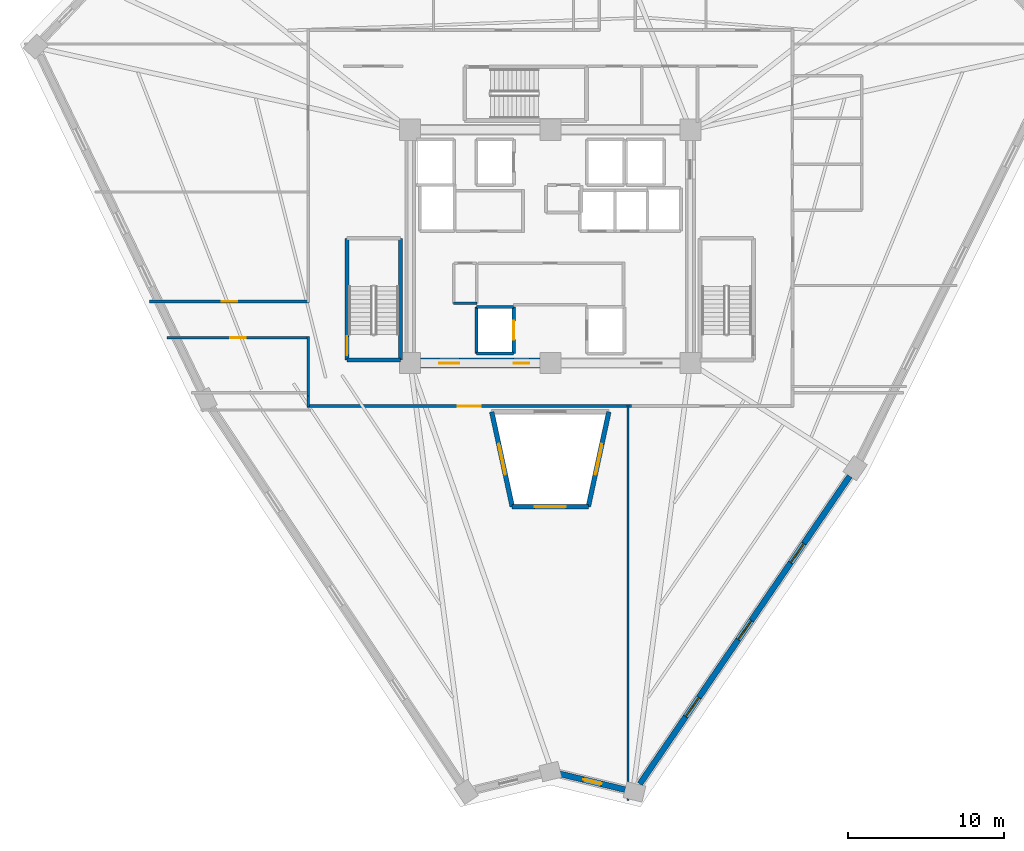
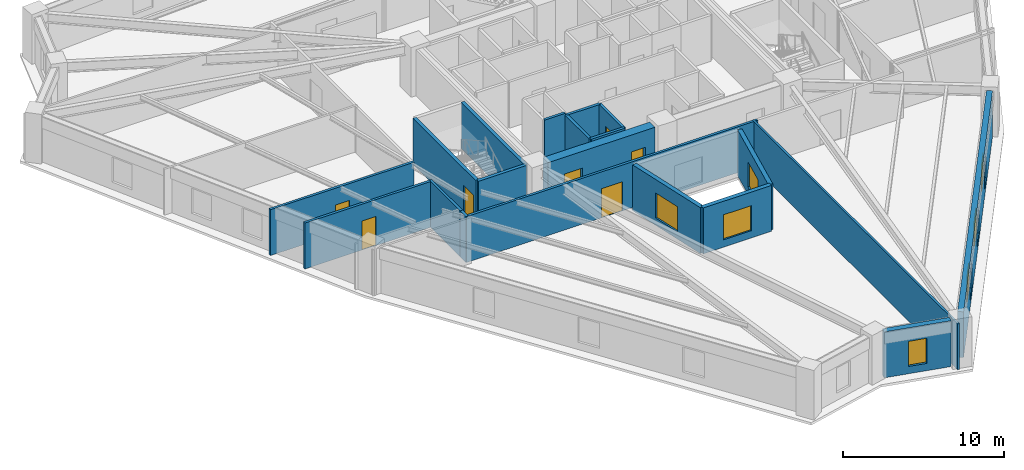
# One storey, part 3 of 9: 20 walls, 7 doors, 7 windows, 14 openings.
"""IFC4 building model written with IfcOpenShell, lengths in metres."""

from ifc_helpers import new_model, si_unit, direction, frame, frame_2d, origin, place, context, subcontext, project, spatial, rectangle, extrude, source, transform, mapped, material, layer, layer_set, type_object, element, fill, save


model = new_model("IFC4")

# Units and contexts
model_context = context("Model", 3, precision=1e-05, world=origin(), true_north=direction((0.0, 1.0)))
body_context = subcontext(model_context, "Body", "Model", "MODEL_VIEW")
ifc_project = project(units=[si_unit("LENGTHUNIT", "METRE"), si_unit("AREAUNIT", "SQUARE_METRE"), si_unit("VOLUMEUNIT", "CUBIC_METRE"), si_unit("PLANEANGLEUNIT", "RADIAN"), si_unit("MASSUNIT", "GRAM", prefix="KILO")], contexts=[model_context])

# Site, building, storey
site_placement = place(None, origin())
site = spatial("IfcSite", under=ifc_project, at=site_placement, CompositionType="ELEMENT")
building_placement = place(site_placement, origin())
building = spatial("IfcBuilding", under=site, at=building_placement, Name="Liaohun Quay Tower", CompositionType="ELEMENT")
storey_placement = place(building_placement, frame((0.0, 0.0, 228.0)))
storey = spatial("IfcBuildingStorey", under=building, at=storey_placement, Name="L59", CompositionType="ELEMENT", Elevation=228.0)

# Wall, opening, window
ifc_material_1 = material(Name="Concrete C50", Category="concrete")
ifc_layer_1 = layer(ifc_material_1, 0.300048828125, Name="Concrete C50", Category="concrete")
ifc_layer_set_1 = layer_set([ifc_layer_1], Name="Concrete C50")
wall_type_1 = type_object("IfcWallType", Name="WAL-ATR-300", PredefinedType="SOLIDWALL", material=ifc_layer_set_1)
wall_1_placement = place(storey_placement, frame((57.553955078125, 37.277099609375, 0.0), z_axis=(0.0, 0.0, 1.0), x_axis=(-0.211403575635, 0.977398858301, 0.0)))
wall_1 = element("IfcWall", 1, at=wall_1_placement, inside=storey, type_object=wall_type_1, Name="L59 Atrium Fire Compartment Wall 1", PredefinedType="SOLIDWALL", context=body_context, shape_type="SweptSolid", body=[
    extrude(rectangle(XDim=6.23388671875, YDim=0.300048828125, at=frame_2d((3.116943359375, 0.0))), origin(), (0.0, 0.0, 1.0), 3.469970703125),
])
shared_shape_1 = source(origin(), body_context, "Body", "SweptSolid", [
    extrude(rectangle(XDim=2.0, YDim=1.89990234375, at=frame_2d((1.0, 0.949951171875))), frame((0.0, 0.159912109375, 0.0), z_axis=(0.0, -1.0, 0.0), x_axis=(1.0, 0.0, 0.0)), (0.0, 0.0, 1.0), 0.320068359375),
])
opening_1_placement = place(wall_1_placement, frame((2.116943359375, 0.0, 0.550048828125)))
opening_1 = element("IfcOpeningElement", 2, at=opening_1_placement, cuts=wall_1, Name="Opening W07", PredefinedType="OPENING", context=body_context, shape_type="MappedRepresentation", body=[
    mapped(shared_shape_1, transform((0.0, 0.0, 0.0), x_axis=(1.0, 0.0, 0.0), y_axis=(0.0, 1.0, 0.0), z_axis=(0.0, 0.0, 1.0), scale=1.0)),
])
ifc_material_2 = material(Name="Class A 180-min fire-resistant insulated glazing", Category="glass")
window_type_1 = type_object("IfcWindowType", Name="WIN-ATR-FIR", PartitioningType="DOUBLE_PANEL_VERTICAL", PredefinedType="WINDOW", material=ifc_material_2)
shared_shape_2 = source(origin(), body_context, "Body", "SweptSolid", [
    extrude(rectangle(XDim=2.0, YDim=1.89990234375, at=frame_2d((1.0, 0.949951171875))), frame((0.0, 0.030029296875, 0.0), z_axis=(0.0, -1.0, 0.0), x_axis=(1.0, 0.0, 0.0)), (0.0, 0.0, 1.0), 0.06005859375),
])
window_1_placement = place(opening_1_placement, origin())
window_1 = element("IfcWindow", 3, at=window_1_placement, inside=storey, type_object=window_type_1, Name="L59 Atrium Fire-Resistant Glazing W07-1", OverallHeight=1.89990234375, OverallWidth=2.0, PartitioningType="DOUBLE_PANEL_VERTICAL", PredefinedType="WINDOW", context=body_context, shape_type="MappedRepresentation", body=[
    mapped(shared_shape_2, transform((0.0, 0.0, 0.0), x_axis=(1.0, 0.0, 0.0), y_axis=(0.0, 1.0, 0.0), z_axis=(0.0, 0.0, 1.0), scale=1.0)),
])
fill(opening_1, window_1)

wall_2_placement = place(storey_placement, frame((63.763916015625, 43.3701171875, 0.0), z_axis=(0.0, 0.0, 1.0), x_axis=(-0.211403575635, -0.977398858301, 0.0)))
wall_2 = element("IfcWall", 4, at=wall_2_placement, inside=storey, type_object=wall_type_1, Name="L59 Atrium Fire Compartment Wall 3", PredefinedType="SOLIDWALL", context=body_context, shape_type="SweptSolid", body=[
    extrude(rectangle(XDim=6.23388671875, YDim=0.300048828125, at=frame_2d((3.116943359375, 0.0))), origin(), (0.0, 0.0, 1.0), 3.469970703125),
])
opening_2_placement = place(wall_2_placement, frame((2.116943359375, 0.0, 0.550048828125)))
opening_2 = element("IfcOpeningElement", 5, at=opening_2_placement, cuts=wall_2, Name="Opening W07", PredefinedType="OPENING", context=body_context, shape_type="MappedRepresentation", body=[
    mapped(shared_shape_1, transform((0.0, 0.0, 0.0), x_axis=(1.0, 0.0, 0.0), y_axis=(0.0, 1.0, 0.0), z_axis=(0.0, 0.0, 1.0), scale=1.0)),
])
window_2_placement = place(opening_2_placement, origin())
window_2 = element("IfcWindow", 6, at=window_2_placement, inside=storey, type_object=window_type_1, Name="L59 Atrium Fire-Resistant Glazing W07-3", OverallHeight=1.89990234375, OverallWidth=2.0, PartitioningType="DOUBLE_PANEL_VERTICAL", PredefinedType="WINDOW", context=body_context, shape_type="MappedRepresentation", body=[
    mapped(shared_shape_2, transform((0.0, 0.0, 0.0), x_axis=(1.0, 0.0, 0.0), y_axis=(0.0, 1.0, 0.0), z_axis=(0.0, 0.0, 1.0), scale=1.0)),
])
fill(opening_2, window_2)

wall_3_placement = place(storey_placement, frame((62.446044921875, 37.277099609375, 0.0), z_axis=(0.0, 0.0, 1.0), x_axis=(-1.0, 0.0, 0.0)))
wall_3 = element("IfcWall", 7, at=wall_3_placement, inside=storey, type_object=wall_type_1, Name="L59 Atrium Fire Compartment Wall 4", PredefinedType="SOLIDWALL", context=body_context, shape_type="SweptSolid", body=[
    extrude(rectangle(XDim=4.89208984375, YDim=0.300048828125, at=frame_2d((2.446044921875, 0.0))), origin(), (0.0, 0.0, 1.0), 3.469970703125),
])
opening_3_placement = place(wall_3_placement, frame((1.446044921875, 0.0, 0.550048828125)))
opening_3 = element("IfcOpeningElement", 8, at=opening_3_placement, cuts=wall_3, Name="Opening W07", PredefinedType="OPENING", context=body_context, shape_type="MappedRepresentation", body=[
    mapped(shared_shape_1, transform((0.0, 0.0, 0.0), x_axis=(1.0, 0.0, 0.0), y_axis=(0.0, 1.0, 0.0), z_axis=(0.0, 0.0, 1.0), scale=1.0)),
])
window_3_placement = place(opening_3_placement, origin())
window_3 = element("IfcWindow", 9, at=window_3_placement, inside=storey, type_object=window_type_1, Name="L59 Atrium Fire-Resistant Glazing W07-4", OverallHeight=1.89990234375, OverallWidth=2.0, PartitioningType="DOUBLE_PANEL_VERTICAL", PredefinedType="WINDOW", context=body_context, shape_type="MappedRepresentation", body=[
    mapped(shared_shape_2, transform((0.0, 0.0, 0.0), x_axis=(1.0, 0.0, 0.0), y_axis=(0.0, 1.0, 0.0), z_axis=(0.0, 0.0, 1.0), scale=1.0)),
])
fill(opening_3, window_3)

# Wall, openings, doors
ifc_material_3 = material(Name="Concrete C55", Category="concrete")
ifc_layer_2 = layer(ifc_material_3, 0.64990234375, Name="Concrete C55", Category="concrete")
ifc_layer_set_2 = layer_set([ifc_layer_2], Name="Concrete C55")
wall_type_2 = type_object("IfcWallType", Name="WAL-COR-Z3", PredefinedType="SHEAR", material=ifc_layer_set_2)
wall_4_placement = place(storey_placement, frame((59.324951171875, 46.5, 0.0), z_axis=(0.0, 0.0, 1.0), x_axis=(-1.0, 0.0, 0.0)))
wall_4 = element("IfcWall", 10, at=wall_4_placement, inside=storey, type_object=wall_type_2, Name="L59 Central Core Shear Wall S-W", PredefinedType="SHEAR", context=body_context, shape_type="SweptSolid", body=[
    extrude(rectangle(XDim=7.64990234375, YDim=0.64990234375, at=frame_2d((3.824951171875, 0.0))), origin(), (0.0, 0.0, 1.0), 3.469970703125),
])
shared_shape_3 = source(origin(), body_context, "Body", "SweptSolid", [
    extrude(rectangle(XDim=1.300048828125, YDim=2.199951171875, at=frame_2d((0.64990234375, 1.10009765625))), frame((0.0, 0.3349609375, 0.0), z_axis=(0.0, -1.0, 0.0), x_axis=(1.0, 0.0, 0.0)), (0.0, 0.0, 1.0), 0.669921875),
])
opening_4_placement = place(wall_4_placement, frame((5.175048828125, 0.0, 0.0)))
opening_4 = element("IfcOpeningElement", 11, at=opening_4_placement, cuts=wall_4, Name="Opening FD1", PredefinedType="OPENING", context=body_context, shape_type="MappedRepresentation", body=[
    mapped(shared_shape_3, transform((0.0, 0.0, 0.0), x_axis=(1.0, 0.0, 0.0), y_axis=(0.0, 1.0, 0.0), z_axis=(0.0, 0.0, 1.0), scale=1.0)),
])
shared_shape_4 = source(origin(), body_context, "Body", "SweptSolid", [
    extrude(rectangle(XDim=1.0, YDim=2.199951171875, at=frame_2d((0.5, 1.10009765625))), frame((0.0, 0.3349609375, 0.0), z_axis=(0.0, -1.0, 0.0), x_axis=(1.0, 0.0, 0.0)), (0.0, 0.0, 1.0), 0.669921875),
])
opening_5_placement = place(wall_4_placement, frame((0.675048828125, 0.0, 0.0)))
opening_5 = element("IfcOpeningElement", 12, at=opening_5_placement, cuts=wall_4, Name="Opening FD2", PredefinedType="OPENING", context=body_context, shape_type="MappedRepresentation", body=[
    mapped(shared_shape_4, transform((0.0, 0.0, 0.0), x_axis=(1.0, 0.0, 0.0), y_axis=(0.0, 1.0, 0.0), z_axis=(0.0, 0.0, 1.0), scale=1.0)),
])
ifc_material_4 = material(Name="Galvanised steel smokeproof fire door", Category="steel")
door_type_1 = type_object("IfcDoorType", Name="DOR-FFL-1300", OperationType="NOTDEFINED", PredefinedType="DOOR", material=ifc_material_4)
shared_shape_5 = source(origin(), body_context, "Body", "SweptSolid", [
    extrude(rectangle(XDim=1.300048828125, YDim=2.199951171875, at=frame_2d((0.64990234375, 1.10009765625))), frame((0.0, 0.02490234375, 0.0), z_axis=(0.0, -1.0, 0.0), x_axis=(1.0, 0.0, 0.0)), (0.0, 0.0, 1.0), 0.050048828125),
])
door_1_placement = place(opening_4_placement, origin())
door_1 = element("IfcDoor", 13, at=door_1_placement, inside=storey, type_object=door_type_1, Name="L59 West Core Lift Lobby Smokeproof Door", OperationType="SINGLE_SWING_RIGHT", OverallHeight=2.199951171875, OverallWidth=1.300048828125, PredefinedType="DOOR", context=body_context, shape_type="MappedRepresentation", body=[
    mapped(shared_shape_5, transform((0.0, 0.0, 0.0), x_axis=(1.0, 0.0, 0.0), y_axis=(0.0, 1.0, 0.0), z_axis=(0.0, 0.0, 1.0), scale=1.0)),
])
fill(opening_4, door_1)
ifc_material_5 = material(Name="Galvanised steel smokeproof lobby fire door", Category="steel")
door_type_2 = type_object("IfcDoorType", Name="DOR-FFL-1000", OperationType="NOTDEFINED", PredefinedType="DOOR", material=ifc_material_5)
shared_shape_6 = source(origin(), body_context, "Body", "SweptSolid", [
    extrude(rectangle(XDim=1.0, YDim=2.199951171875, at=frame_2d((0.5, 1.10009765625))), frame((0.0, 0.02490234375, 0.0), z_axis=(0.0, -1.0, 0.0), x_axis=(1.0, 0.0, 0.0)), (0.0, 0.0, 1.0), 0.050048828125),
])
door_2_placement = place(opening_5_placement, origin())
door_2 = element("IfcDoor", 14, at=door_2_placement, inside=storey, type_object=door_type_2, Name="L59 South Firefighting Lobby Smokeproof Door", OperationType="SINGLE_SWING_LEFT", OverallHeight=2.199951171875, OverallWidth=1.0, PredefinedType="DOOR", context=body_context, shape_type="MappedRepresentation", body=[
    mapped(shared_shape_6, transform((0.0, 0.0, 0.0), x_axis=(1.0, 0.0, 0.0), y_axis=(0.0, 1.0, 0.0), z_axis=(0.0, 0.0, 1.0), scale=1.0)),
])
fill(opening_5, door_2)

# Wall, opening, window
ifc_material_6 = material(Name="Precast concrete C50 insulated sandwich", Category="concrete")
ifc_layer_3 = layer(ifc_material_6, 0.3798828125, Name="Precast concrete C50 insulated sandwich", Category="concrete")
ifc_layer_set_3 = layer_set([ifc_layer_3], Name="Precast concrete C50 insulated sandwich")
wall_type_3 = type_object("IfcWallType", Name="WAL-EXT-Z34", PredefinedType="SOLIDWALL", material=ifc_layer_set_3)
wall_5_placement = place(storey_placement, frame((60.597900390625, 20.113037109375, 0.0), z_axis=(0.0, 0.0, 1.0), x_axis=(0.972011709717, -0.234932407669, 0.0)))
wall_5 = element("IfcWall", 15, at=wall_5_placement, inside=storey, type_object=wall_type_3, Name="L59 Brutalist Precast Pier Wall 01", PredefinedType="SOLIDWALL", context=body_context, shape_type="SweptSolid", body=[
    extrude(rectangle(XDim=4.33349609375, YDim=0.3798828125, at=frame_2d((2.166748046875, 0.0))), origin(), (0.0, 0.0, 1.0), 3.469970703125),
])
shared_shape_7 = source(origin(), body_context, "Body", "SweptSolid", [
    extrude(rectangle(XDim=1.199951171875, YDim=1.89990234375, at=frame_2d((0.60009765625, 0.949951171875))), frame((0.0, 0.199951171875, 0.0), z_axis=(0.0, -1.0, 0.0), x_axis=(1.0, 0.0, 0.0)), (0.0, 0.0, 1.0), 0.39990234375),
])
opening_6_placement = place(wall_5_placement, frame((1.56689453125, 0.0, 0.550048828125)))
opening_6 = element("IfcOpeningElement", 16, at=opening_6_placement, cuts=wall_5, Name="Opening W05", PredefinedType="OPENING", context=body_context, shape_type="MappedRepresentation", body=[
    mapped(shared_shape_7, transform((0.0, 0.0, 0.0), x_axis=(1.0, 0.0, 0.0), y_axis=(0.0, 1.0, 0.0), z_axis=(0.0, 0.0, 1.0), scale=1.0)),
])
ifc_material_7 = material(Name="Triple Low-E corner notch glazing", Category="glass")
window_type_2 = type_object("IfcWindowType", Name="WIN-NOTCH", PartitioningType="SINGLE_PANEL", PredefinedType="WINDOW", material=ifc_material_7)
shared_shape_8 = source(origin(), body_context, "Body", "SweptSolid", [
    extrude(rectangle(XDim=1.199951171875, YDim=1.89990234375, at=frame_2d((0.60009765625, 0.949951171875))), frame((0.0, 0.030029296875, 0.0), z_axis=(0.0, -1.0, 0.0), x_axis=(1.0, 0.0, 0.0)), (0.0, 0.0, 1.0), 0.06005859375),
])
window_4_placement = place(opening_6_placement, origin())
window_4 = element("IfcWindow", 17, at=window_4_placement, inside=storey, type_object=window_type_2, Name="L59 Corner Notch Window W05-01", OverallHeight=1.89990234375, OverallWidth=1.199951171875, PartitioningType="SINGLE_PANEL", PredefinedType="WINDOW", context=body_context, shape_type="MappedRepresentation", body=[
    mapped(shared_shape_8, transform((0.0, 0.0, 0.0), x_axis=(1.0, 0.0, 0.0), y_axis=(0.0, 1.0, 0.0), z_axis=(0.0, 0.0, 1.0), scale=1.0)),
])
fill(opening_6, window_4)

# Wall, openings, windows
wall_6_placement = place(storey_placement, frame((65.75390625, 19.458984375, 0.0), z_axis=(0.0, 0.0, 1.0), x_axis=(0.563392494029, 0.826189383659, 0.0)))
wall_6 = element("IfcWall", 18, at=wall_6_placement, inside=storey, type_object=wall_type_3, Name="L59 Brutalist Precast Pier Wall 02", PredefinedType="SOLIDWALL", context=body_context, shape_type="SweptSolid", body=[
    extrude(rectangle(XDim=23.949951171875, YDim=0.3798828125, at=frame_2d((11.97509765625, 0.0))), origin(), (0.0, 0.0, 1.0), 3.469970703125),
])
shared_shape_9 = source(origin(), body_context, "Body", "SweptSolid", [
    extrude(rectangle(XDim=1.5, YDim=1.89990234375, at=frame_2d((0.75, 0.949951171875))), frame((0.0, 0.199951171875, 0.0), z_axis=(0.0, -1.0, 0.0), x_axis=(1.0, 0.0, 0.0)), (0.0, 0.0, 1.0), 0.39990234375),
])
opening_7_placement = place(wall_6_placement, frame((5.237060546875, 0.0, 0.550048828125)))
opening_7 = element("IfcOpeningElement", 19, at=opening_7_placement, cuts=wall_6, Name="Opening W03", PredefinedType="OPENING", context=body_context, shape_type="MappedRepresentation", body=[
    mapped(shared_shape_9, transform((0.0, 0.0, 0.0), x_axis=(1.0, 0.0, 0.0), y_axis=(0.0, 1.0, 0.0), z_axis=(0.0, 0.0, 1.0), scale=1.0)),
])
opening_8_placement = place(wall_6_placement, frame((11.22509765625, 0.0, 0.550048828125)))
opening_8 = element("IfcOpeningElement", 20, at=opening_8_placement, cuts=wall_6, Name="Opening W03", PredefinedType="OPENING", context=body_context, shape_type="MappedRepresentation", body=[
    mapped(shared_shape_9, transform((0.0, 0.0, 0.0), x_axis=(1.0, 0.0, 0.0), y_axis=(0.0, 1.0, 0.0), z_axis=(0.0, 0.0, 1.0), scale=1.0)),
])
opening_9_placement = place(wall_6_placement, frame((17.2119140625, 0.0, 0.550048828125)))
opening_9 = element("IfcOpeningElement", 21, at=opening_9_placement, cuts=wall_6, Name="Opening W03", PredefinedType="OPENING", context=body_context, shape_type="MappedRepresentation", body=[
    mapped(shared_shape_9, transform((0.0, 0.0, 0.0), x_axis=(1.0, 0.0, 0.0), y_axis=(0.0, 1.0, 0.0), z_axis=(0.0, 0.0, 1.0), scale=1.0)),
])
ifc_material_8 = material(Name="Triple Low-E argon glazing in thermally broken aluminium", Category="aluminium")
window_type_3 = type_object("IfcWindowType", Name="WIN-PUN-Z3", PartitioningType="DOUBLE_PANEL_VERTICAL", PredefinedType="WINDOW", material=ifc_material_8)
shared_shape_10 = source(origin(), body_context, "Body", "SweptSolid", [
    extrude(rectangle(XDim=1.5, YDim=1.89990234375, at=frame_2d((0.75, 0.949951171875))), frame((0.0, 0.030029296875, 0.0), z_axis=(0.0, -1.0, 0.0), x_axis=(1.0, 0.0, 0.0)), (0.0, 0.0, 1.0), 0.06005859375),
])
window_5_placement = place(opening_7_placement, origin())
window_5 = element("IfcWindow", 22, at=window_5_placement, inside=storey, type_object=window_type_3, Name="L59 Recessed Cold-Climate Punched Window 02-1", OverallHeight=1.89990234375, OverallWidth=1.5, PartitioningType="DOUBLE_PANEL_VERTICAL", PredefinedType="WINDOW", context=body_context, shape_type="MappedRepresentation", body=[
    mapped(shared_shape_10, transform((0.0, 0.0, 0.0), x_axis=(1.0, 0.0, 0.0), y_axis=(0.0, 1.0, 0.0), z_axis=(0.0, 0.0, 1.0), scale=1.0)),
])
fill(opening_7, window_5)
window_6_placement = place(opening_8_placement, origin())
window_6 = element("IfcWindow", 23, at=window_6_placement, inside=storey, type_object=window_type_3, Name="L59 Recessed Cold-Climate Punched Window 02-2", OverallHeight=1.89990234375, OverallWidth=1.5, PartitioningType="DOUBLE_PANEL_VERTICAL", PredefinedType="WINDOW", context=body_context, shape_type="MappedRepresentation", body=[
    mapped(shared_shape_10, transform((0.0, 0.0, 0.0), x_axis=(1.0, 0.0, 0.0), y_axis=(0.0, 1.0, 0.0), z_axis=(0.0, 0.0, 1.0), scale=1.0)),
])
fill(opening_8, window_6)
window_7_placement = place(opening_9_placement, origin())
window_7 = element("IfcWindow", 24, at=window_7_placement, inside=storey, type_object=window_type_3, Name="L59 Recessed Cold-Climate Punched Window 02-3", OverallHeight=1.89990234375, OverallWidth=1.5, PartitioningType="DOUBLE_PANEL_VERTICAL", PredefinedType="WINDOW", context=body_context, shape_type="MappedRepresentation", body=[
    mapped(shared_shape_10, transform((0.0, 0.0, 0.0), x_axis=(1.0, 0.0, 0.0), y_axis=(0.0, 1.0, 0.0), z_axis=(0.0, 0.0, 1.0), scale=1.0)),
])
fill(opening_9, window_7)

# Wall, opening, door
ifc_material_9 = material(Name="Autoclaved aerated concrete blockwork", Category="masonry")
ifc_layer_4 = layer(ifc_material_9, 0.179931640625, Name="Autoclaved aerated concrete blockwork", Category="masonry")
ifc_layer_set_4 = layer_set([ifc_layer_4], Name="Autoclaved aerated concrete blockwork")
wall_type_4 = type_object("IfcWallType", Name="WAL-PRT-COR", PredefinedType="PARTITIONING", material=ifc_layer_set_4)
wall_7_placement = place(storey_placement, frame((34.238037109375, 50.4599609375, 0.0), z_axis=(0.0, 0.0, 1.0), x_axis=(1.0, 0.0, 0.0)))
wall_7 = element("IfcWall", 25, at=wall_7_placement, inside=storey, type_object=wall_type_4, Name="L59 Interior Partition Wall 019", PredefinedType="PARTITIONING", context=body_context, shape_type="SweptSolid", body=[
    extrude(rectangle(XDim=10.27197265625, YDim=0.179931640625, at=frame_2d((5.135986328125, 0.0))), origin(), (0.0, 0.0, 1.0), 3.469970703125),
])
shared_shape_11 = source(origin(), body_context, "Body", "SweptSolid", [
    extrude(rectangle(XDim=1.0, YDim=2.199951171875, at=frame_2d((0.5, 1.10009765625))), frame((0.0, 0.099853515625, 0.0), z_axis=(0.0, -1.0, 0.0), x_axis=(1.0, 0.0, 0.0)), (0.0, 0.0, 1.0), 0.199951171875),
])
opening_10_placement = place(wall_7_placement, frame((4.635986328125, 0.0, 0.0)))
opening_10 = element("IfcOpeningElement", 26, at=opening_10_placement, cuts=wall_7, Name="Opening OD1", PredefinedType="OPENING", context=body_context, shape_type="MappedRepresentation", body=[
    mapped(shared_shape_11, transform((0.0, 0.0, 0.0), x_axis=(1.0, 0.0, 0.0), y_axis=(0.0, 1.0, 0.0), z_axis=(0.0, 0.0, 1.0), scale=1.0)),
])
ifc_material_10 = material(Name="Solid-core oak veneer timber leaf in steel frame", Category="steel")
door_type_3 = type_object("IfcDoorType", Name="DOR-OFF-1000", OperationType="NOTDEFINED", PredefinedType="DOOR", material=ifc_material_10)
door_3_placement = place(opening_10_placement, origin())
door_3 = element("IfcDoor", 27, at=door_3_placement, inside=storey, type_object=door_type_3, Name="L59 Corporate Exhibition Gallery 08 Door", OperationType="SINGLE_SWING_RIGHT", OverallHeight=2.199951171875, OverallWidth=1.0, PredefinedType="DOOR", context=body_context, shape_type="MappedRepresentation", body=[
    mapped(shared_shape_6, transform((0.0, 0.0, 0.0), x_axis=(1.0, 0.0, 0.0), y_axis=(0.0, 1.0, 0.0), z_axis=(0.0, 0.0, 1.0), scale=1.0)),
])
fill(opening_10, door_3)

wall_8_placement = place(storey_placement, frame((44.510009765625, 48.139892578125, 0.0), z_axis=(0.0, 0.0, 1.0), x_axis=(-1.0, 0.0, 0.0)))
wall_8 = element("IfcWall", 28, at=wall_8_placement, inside=storey, type_object=wall_type_4, Name="L59 Interior Partition Wall 020", PredefinedType="PARTITIONING", context=body_context, shape_type="SweptSolid", body=[
    extrude(rectangle(XDim=9.155029296875, YDim=0.179931640625, at=frame_2d((4.57763671875, 0.0))), origin(), (0.0, 0.0, 1.0), 3.469970703125),
])
opening_11_placement = place(wall_8_placement, frame((4.077880859375, 0.0, 0.0)))
opening_11 = element("IfcOpeningElement", 29, at=opening_11_placement, cuts=wall_8, Name="Opening OD1", PredefinedType="OPENING", context=body_context, shape_type="MappedRepresentation", body=[
    mapped(shared_shape_11, transform((0.0, 0.0, 0.0), x_axis=(1.0, 0.0, 0.0), y_axis=(0.0, 1.0, 0.0), z_axis=(0.0, 0.0, 1.0), scale=1.0)),
])
door_4_placement = place(opening_11_placement, origin())
door_4 = element("IfcDoor", 30, at=door_4_placement, inside=storey, type_object=door_type_3, Name="L59 Records Archive Store 09 Door", OperationType="SINGLE_SWING_LEFT", OverallHeight=2.199951171875, OverallWidth=1.0, PredefinedType="DOOR", context=body_context, shape_type="MappedRepresentation", body=[
    mapped(shared_shape_6, transform((0.0, 0.0, 0.0), x_axis=(1.0, 0.0, 0.0), y_axis=(0.0, 1.0, 0.0), z_axis=(0.0, 0.0, 1.0), scale=1.0)),
])
fill(opening_11, door_4)

wall_9_placement = place(storey_placement, frame((65.215087890625, 43.739990234375, 0.0), z_axis=(0.0, 0.0, 1.0), x_axis=(-1.0, 0.0, 0.0)))
wall_9 = element("IfcWall", 31, at=wall_9_placement, inside=storey, type_object=wall_type_4, Name="L59 Interior Partition Wall 021", PredefinedType="PARTITIONING", context=body_context, shape_type="SweptSolid", body=[
    extrude(rectangle(XDim=20.844970703125, YDim=0.179931640625, at=frame_2d((10.42236328125, 0.0))), origin(), (0.0, 0.0, 1.0), 3.469970703125),
])
shared_shape_12 = source(origin(), body_context, "Body", "SweptSolid", [
    extrude(rectangle(XDim=1.5, YDim=2.199951171875, at=frame_2d((0.75, 1.10009765625))), frame((0.0, 0.099853515625, 0.0), z_axis=(0.0, -1.0, 0.0), x_axis=(1.0, 0.0, 0.0)), (0.0, 0.0, 1.0), 0.199951171875),
])
opening_12_placement = place(wall_9_placement, frame((9.673095703125, 0.0, 0.0)))
opening_12 = element("IfcOpeningElement", 32, at=opening_12_placement, cuts=wall_9, Name="Opening OD2", PredefinedType="OPENING", context=body_context, shape_type="MappedRepresentation", body=[
    mapped(shared_shape_12, transform((0.0, 0.0, 0.0), x_axis=(1.0, 0.0, 0.0), y_axis=(0.0, 1.0, 0.0), z_axis=(0.0, 0.0, 1.0), scale=1.0)),
])
ifc_material_11 = material(Name="Acoustic oak veneer double door")
door_type_4 = type_object("IfcDoorType", Name="DOR-OFF-1500", OperationType="DOUBLE_DOOR_SINGLE_SWING", PredefinedType="DOOR", material=ifc_material_11)
shared_shape_13 = source(origin(), body_context, "Body", "SweptSolid", [
    extrude(rectangle(XDim=1.5, YDim=2.199951171875, at=frame_2d((0.75, 1.10009765625))), frame((0.0, 0.02490234375, 0.0), z_axis=(0.0, -1.0, 0.0), x_axis=(1.0, 0.0, 0.0)), (0.0, 0.0, 1.0), 0.050048828125),
])
door_5_placement = place(opening_12_placement, origin())
door_5 = element("IfcDoor", 33, at=door_5_placement, inside=storey, type_object=door_type_4, Name="L59 Open-Plan Office Workplace 10 Door", OperationType="DOUBLE_DOOR_SINGLE_SWING", OverallHeight=2.199951171875, OverallWidth=1.5, PredefinedType="DOOR", context=body_context, shape_type="MappedRepresentation", body=[
    mapped(shared_shape_13, transform((0.0, 0.0, 0.0), x_axis=(1.0, 0.0, 0.0), y_axis=(0.0, 1.0, 0.0), z_axis=(0.0, 0.0, 1.0), scale=1.0)),
])
fill(opening_12, door_5)

# Walls
wall_10_placement = place(storey_placement, frame((53.7900390625, 50.35009765625, 0.0), z_axis=(0.0, 0.0, 1.0), x_axis=(1.0, 0.0, 0.0)))
element("IfcWall", 34, at=wall_10_placement, inside=storey, type_object=wall_type_4, Name="L59 Interior Partition Wall 028", PredefinedType="PARTITIONING", context=body_context, shape_type="SweptSolid", body=[
    extrude(rectangle(XDim=1.489990234375, YDim=0.179931640625, at=frame_2d((0.7451171875, 0.0))), origin(), (0.0, 0.0, 1.0), 3.469970703125),
])
wall_11_placement = place(storey_placement, frame((44.43994140625, 44.385009765625, 0.0), z_axis=(0.0, 0.0, 1.0), x_axis=(0.0, 1.0, 0.0)))
element("IfcWall", 35, at=wall_11_placement, inside=storey, type_object=wall_type_4, Name="L59 Interior Partition Wall 043", PredefinedType="PARTITIONING", context=body_context, shape_type="SweptSolid", body=[
    extrude(rectangle(XDim=3.824951171875, YDim=0.179931640625, at=frame_2d((1.91259765625, 0.0))), origin(), (0.0, 0.0, 1.0), 3.469970703125),
])
wall_12_placement = place(storey_placement, frame((44.43994140625, 43.669921875, 0.0), z_axis=(0.0, 0.0, 1.0), x_axis=(0.0, 1.0, 0.0)))
element("IfcWall", 36, at=wall_12_placement, inside=storey, type_object=wall_type_4, Name="L59 Interior Partition Wall 044", PredefinedType="PARTITIONING", context=body_context, shape_type="SweptSolid", body=[
    extrude(rectangle(XDim=0.715087890625, YDim=0.179931640625, at=frame_2d((0.357421875, 0.0))), origin(), (0.0, 0.0, 1.0), 3.469970703125),
])
ifc_material_12 = material(Name="Gypsum board on twin steel studs", Category="steel")
ifc_layer_5 = layer(ifc_material_12, 0.139892578125, Name="Gypsum board on twin steel studs", Category="steel")
ifc_layer_set_5 = layer_set([ifc_layer_5], Name="Gypsum board on twin steel studs")
wall_type_5 = type_object("IfcWallType", Name="WAL-PRT-OFF", PredefinedType="PARTITIONING", material=ifc_layer_set_5)
wall_13_placement = place(storey_placement, frame((65.0, 43.840087890625, 0.0), z_axis=(0.0, 0.0, 1.0), x_axis=(0.0, -1.0, 0.0)))
element("IfcWall", 37, at=wall_13_placement, inside=storey, type_object=wall_type_5, Name="L59 Interior Partition Wall 057", PredefinedType="PARTITIONING", context=body_context, shape_type="SweptSolid", body=[
    extrude(rectangle(XDim=25.43798828125, YDim=0.139892578125, at=frame_2d((12.718994140625, 0.0))), origin(), (0.0, 0.0, 1.0), 3.469970703125),
])
ifc_layer_6 = layer(ifc_material_1, 0.239990234375, Name="Concrete C50", Category="concrete")
ifc_layer_set_6 = layer_set([ifc_layer_6], Name="Concrete C50")
wall_type_6 = type_object("IfcWallType", Name="WAL-SHF-200", PredefinedType="SOLIDWALL", material=ifc_layer_set_6)
wall_14_placement = place(storey_placement, frame((46.93994140625, 46.699951171875, 0.0), z_axis=(0.0, 0.0, 1.0), x_axis=(1.0, 0.0, 0.0)))
element("IfcWall", 38, at=wall_14_placement, inside=storey, type_object=wall_type_6, Name="L59 Stairwell ST-1 Structural Core Wall S", PredefinedType="SOLIDWALL", context=body_context, shape_type="SweptSolid", body=[
    extrude(rectangle(XDim=3.43994140625, YDim=0.239990234375, at=frame_2d((1.719970703125, 0.0))), origin(), (0.0, 0.0, 1.0), 3.469970703125),
])
wall_15_placement = place(storey_placement, frame((50.3798828125, 46.699951171875, 0.0), z_axis=(0.0, 0.0, 1.0), x_axis=(0.0, 1.0, 0.0)))
element("IfcWall", 39, at=wall_15_placement, inside=storey, type_object=wall_type_6, Name="L59 Stairwell ST-1 Structural Core Wall E", PredefinedType="SOLIDWALL", context=body_context, shape_type="SweptSolid", body=[
    extrude(rectangle(XDim=7.820068359375, YDim=0.239990234375, at=frame_2d((3.91015625, 0.0))), origin(), (0.0, 0.0, 1.0), 3.469970703125),
])

# Wall, opening, door
wall_16_placement = place(storey_placement, frame((46.93994140625, 54.52001953125, 0.0), z_axis=(0.0, 0.0, 1.0), x_axis=(0.0, -1.0, 0.0)))
wall_16 = element("IfcWall", 40, at=wall_16_placement, inside=storey, type_object=wall_type_6, Name="L59 Stairwell ST-1 Structural Core Wall W", PredefinedType="SOLIDWALL", context=body_context, shape_type="SweptSolid", body=[
    extrude(rectangle(XDim=7.820068359375, YDim=0.239990234375, at=frame_2d((3.91015625, 0.0))), origin(), (0.0, 0.0, 1.0), 3.469970703125),
])
shared_shape_14 = source(origin(), body_context, "Body", "SweptSolid", [
    extrude(rectangle(XDim=1.199951171875, YDim=2.199951171875, at=frame_2d((0.60009765625, 1.10009765625))), frame((0.0, 0.1298828125, 0.0), z_axis=(0.0, -1.0, 0.0), x_axis=(1.0, 0.0, 0.0)), (0.0, 0.0, 1.0), 0.260009765625),
])
opening_13_placement = place(wall_16_placement, frame((6.300048828125, 0.0, 0.0)))
opening_13 = element("IfcOpeningElement", 41, at=opening_13_placement, cuts=wall_16, Name="Opening SD1", PredefinedType="OPENING", context=body_context, shape_type="MappedRepresentation", body=[
    mapped(shared_shape_14, transform((0.0, 0.0, 0.0), x_axis=(1.0, 0.0, 0.0), y_axis=(0.0, 1.0, 0.0), z_axis=(0.0, 0.0, 1.0), scale=1.0)),
])
ifc_material_13 = material(Name="Galvanised steel fire door", Category="steel")
door_type_5 = type_object("IfcDoorType", Name="DOR-STR-1200", OperationType="NOTDEFINED", PredefinedType="DOOR", material=ifc_material_13)
shared_shape_15 = source(origin(), body_context, "Body", "SweptSolid", [
    extrude(rectangle(XDim=1.199951171875, YDim=2.199951171875, at=frame_2d((0.60009765625, 1.10009765625))), frame((0.0, 0.02490234375, 0.0), z_axis=(0.0, -1.0, 0.0), x_axis=(1.0, 0.0, 0.0)), (0.0, 0.0, 1.0), 0.050048828125),
])
door_6_placement = place(opening_13_placement, origin())
door_6 = element("IfcDoor", 42, at=door_6_placement, inside=storey, type_object=door_type_5, Name="L59 Protected Stair ST-1 Fire Door", OperationType="SINGLE_SWING_LEFT", OverallHeight=2.199951171875, OverallWidth=1.199951171875, PredefinedType="DOOR", context=body_context, shape_type="MappedRepresentation", body=[
    mapped(shared_shape_15, transform((0.0, 0.0, 0.0), x_axis=(1.0, 0.0, 0.0), y_axis=(0.0, 1.0, 0.0), z_axis=(0.0, 0.0, 1.0), scale=1.0)),
])
fill(opening_13, door_6)

# Wall
wall_17_placement = place(storey_placement, frame((55.25, 47.1201171875, 0.0), z_axis=(0.0, 0.0, 1.0), x_axis=(1.0, 0.0, 0.0)))
element("IfcWall", 43, at=wall_17_placement, inside=storey, type_object=wall_type_6, Name="L59 Lift FF-01 Hoistway Wall S", PredefinedType="SOLIDWALL", context=body_context, shape_type="SweptSolid", body=[
    extrude(rectangle(XDim=2.39990234375, YDim=0.199951171875, at=frame_2d((1.199951171875, 0.0))), origin(), (0.0, 0.0, 1.0), 3.469970703125),
])

# Wall, opening, door
wall_18_placement = place(storey_placement, frame((57.64990234375, 47.1201171875, 0.0), z_axis=(0.0, 0.0, 1.0), x_axis=(0.0, 1.0, 0.0)))
wall_18 = element("IfcWall", 44, at=wall_18_placement, inside=storey, type_object=wall_type_6, Name="L59 Lift FF-01 Hoistway Wall E", PredefinedType="SOLIDWALL", context=body_context, shape_type="SweptSolid", body=[
    extrude(rectangle(XDim=3.0, YDim=0.199951171875, at=frame_2d((1.5, 0.0))), origin(), (0.0, 0.0, 1.0), 3.469970703125),
])
shared_shape_16 = source(origin(), body_context, "Body", "SweptSolid", [
    extrude(rectangle(XDim=1.199951171875, YDim=2.300048828125, at=frame_2d((0.60009765625, 1.14990234375))), frame((0.0, 0.10986328125, 0.0), z_axis=(0.0, -1.0, 0.0), x_axis=(1.0, 0.0, 0.0)), (0.0, 0.0, 1.0), 0.219970703125),
])
opening_14_placement = place(wall_18_placement, frame((0.89990234375, 0.0, 0.0)))
opening_14 = element("IfcOpeningElement", 45, at=opening_14_placement, cuts=wall_18, Name="Opening LD2", PredefinedType="OPENING", context=body_context, shape_type="MappedRepresentation", body=[
    mapped(shared_shape_16, transform((0.0, 0.0, 0.0), x_axis=(1.0, 0.0, 0.0), y_axis=(0.0, 1.0, 0.0), z_axis=(0.0, 0.0, 1.0), scale=1.0)),
])
ifc_material_14 = material(Name="Brushed stainless steel stretcher landing door", Category="steel")
door_type_6 = type_object("IfcDoorType", Name="DOR-LFT-1200", OperationType="SLIDING_TO_LEFT", PredefinedType="DOOR", material=ifc_material_14)
shared_shape_17 = source(origin(), body_context, "Body", "SweptSolid", [
    extrude(rectangle(XDim=1.199951171875, YDim=2.300048828125, at=frame_2d((0.60009765625, 1.14990234375))), frame((0.0, 0.02490234375, 0.0), z_axis=(0.0, -1.0, 0.0), x_axis=(1.0, 0.0, 0.0)), (0.0, 0.0, 1.0), 0.050048828125),
])
door_7_placement = place(opening_14_placement, origin())
door_7 = element("IfcDoor", 46, at=door_7_placement, inside=storey, type_object=door_type_6, Name="L59 Lift FF-01 Sliding Landing Door", OperationType="SLIDING_TO_LEFT", OverallHeight=2.300048828125, OverallWidth=1.199951171875, PredefinedType="DOOR", context=body_context, shape_type="MappedRepresentation", body=[
    mapped(shared_shape_17, transform((0.0, 0.0, 0.0), x_axis=(1.0, 0.0, 0.0), y_axis=(0.0, 1.0, 0.0), z_axis=(0.0, 0.0, 1.0), scale=1.0)),
])
fill(opening_14, door_7)

# Walls
wall_19_placement = place(storey_placement, frame((57.64990234375, 50.1201171875, 0.0), z_axis=(0.0, 0.0, 1.0), x_axis=(-1.0, 0.0, 0.0)))
element("IfcWall", 47, at=wall_19_placement, inside=storey, type_object=wall_type_6, Name="L59 Lift FF-01 Hoistway Wall N", PredefinedType="SOLIDWALL", context=body_context, shape_type="SweptSolid", body=[
    extrude(rectangle(XDim=2.39990234375, YDim=0.199951171875, at=frame_2d((1.199951171875, 0.0))), origin(), (0.0, 0.0, 1.0), 3.469970703125),
])
wall_20_placement = place(storey_placement, frame((55.25, 50.1201171875, 0.0), z_axis=(0.0, 0.0, 1.0), x_axis=(0.0, -1.0, 0.0)))
element("IfcWall", 48, at=wall_20_placement, inside=storey, type_object=wall_type_6, Name="L59 Lift FF-01 Hoistway Wall W", PredefinedType="SOLIDWALL", context=body_context, shape_type="SweptSolid", body=[
    extrude(rectangle(XDim=3.0, YDim=0.199951171875, at=frame_2d((1.5, 0.0))), origin(), (0.0, 0.0, 1.0), 3.469970703125),
])

save(model, "model.ifc")
